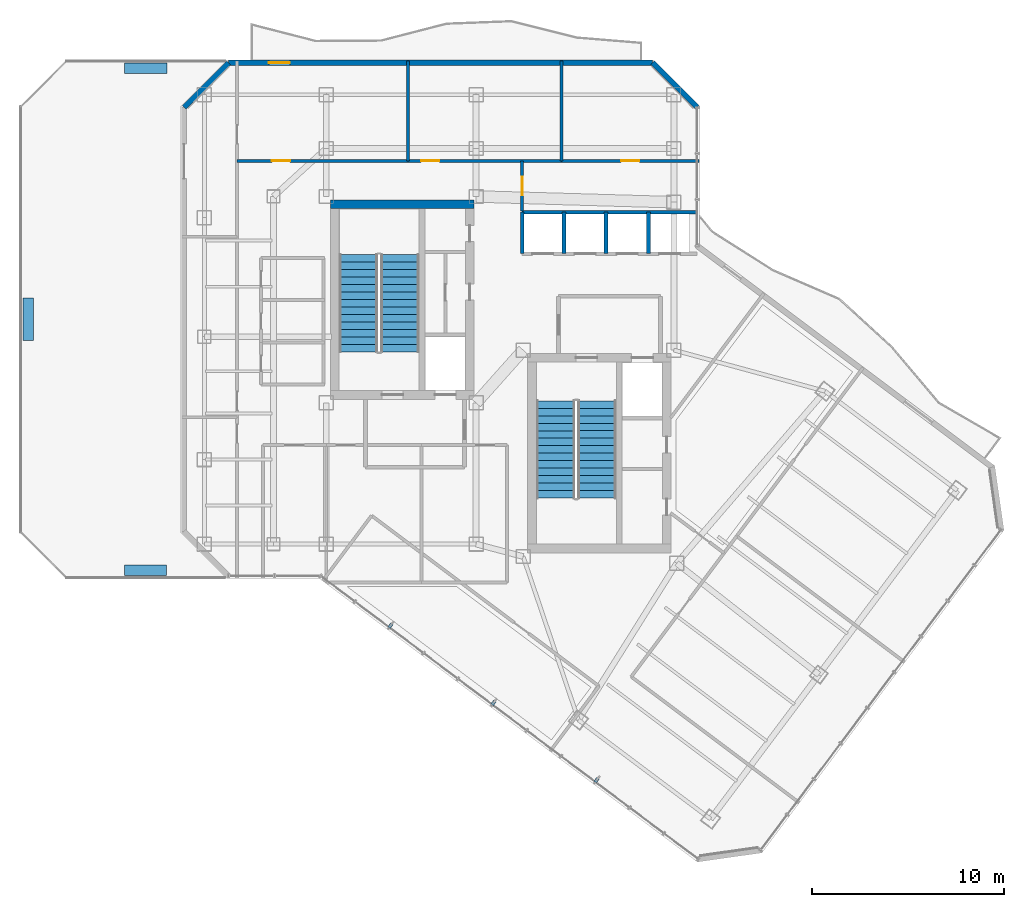
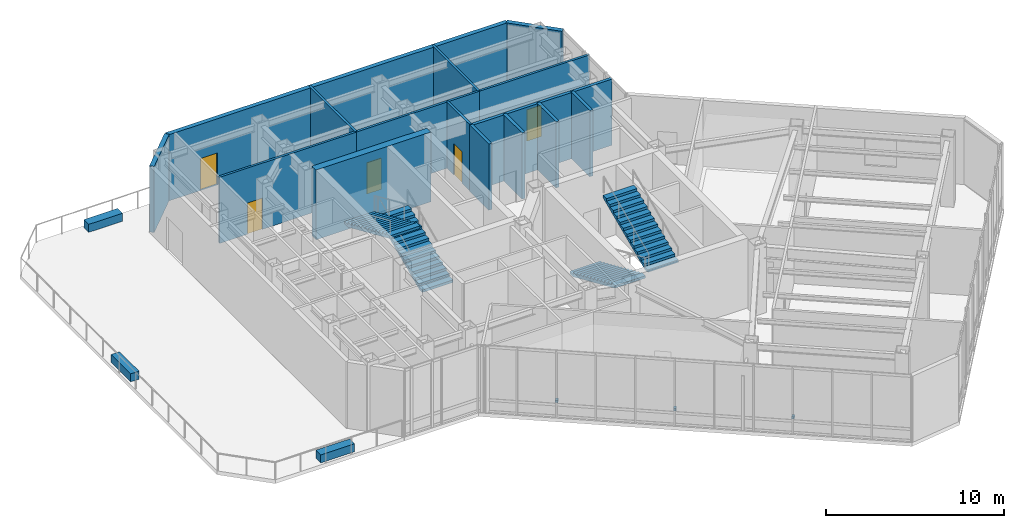
# One storey, part 18 of 21: 15 walls, 6 discrete accessories, 5 doors, 4 stair flights, 5 openings, 2 elements without a shape of their own.
"""IFC4 building model written with IfcOpenShell, lengths in metres."""

import ifcopenshell
import ifcopenshell.guid

model = None  # the IFC model being written
_history = None  # IfcOwnerHistory: only IFC2X3 demands one
_inside = {}  # id of a spatial element -> (the spatial element, [elements in it])
_under = {}  # id of a project, library or spatial element -> (it, [spatial elements below it])
_declared = {}  # id of a project -> (the project, [libraries it declares])
_typed = {}  # id of a type object -> (the type object, [elements of that type])
_made_of = {}  # id of a material, layer set ... -> (it, [elements and type objects made of it])


def new_model(schema):
    """Start an empty IFC model of exactly this schema.

    Asked for "IFC4X3", IfcOpenShell would pick the latest addendum, in which some entities
    have other attributes; the version numbers below select the first issue.
    IFC2X3 requires an IfcOwnerHistory on every rooted entity: one is made here for all.
    """
    global model, _history
    if schema == "IFC4X3":
        model = ifcopenshell.file(schema_version=(4, 3, 0, 0))
    else:
        model = ifcopenshell.file(schema=schema)
    _inside.clear()
    _under.clear()
    _declared.clear()
    _typed.clear()
    _made_of.clear()
    _history = None
    if model.schema == "IFC2X3":
        org = make("IfcOrganization", Name="unknown")
        user = make(
            "IfcPersonAndOrganization",
            ThePerson=make("IfcPerson", FamilyName="unknown"),
            TheOrganization=org,
        )
        app = make(
            "IfcApplication",
            ApplicationDeveloper=org,
            Version="unknown",
            ApplicationFullName="unknown",
            ApplicationIdentifier="unknown",
        )
        _history = make(
            "IfcOwnerHistory",
            OwningUser=user,
            OwningApplication=app,
            ChangeAction="ADDED",
            CreationDate=0,
        )
    return model


def make(cls, **values):
    """One entity of the class cls with the attributes given. An attribute that is None is left unset."""
    return model.create_entity(
        cls, **{name: value for name, value in values.items() if value is not None}
    )


def rooted(cls, **values):
    """An entity with a GlobalId (a new one), such as an element, a storey or a relation."""
    return make(cls, GlobalId=ifcopenshell.guid.new(), OwnerHistory=_history, **values)


def si_unit(unit_type, name, prefix=None):
    """IfcSIUnit, for example si_unit("LENGTHUNIT", "METRE", prefix="MILLI")."""
    return make("IfcSIUnit", UnitType=unit_type, Prefix=prefix, Name=name)


def assignment(units):
    """IfcUnitAssignment: the units of a project."""
    return None if units is None else make("IfcUnitAssignment", Units=units)


def point(xyz):
    """IfcCartesianPoint."""
    return None if xyz is None else make("IfcCartesianPoint", Coordinates=xyz)


def direction(xyz):
    """IfcDirection."""
    return None if xyz is None else make("IfcDirection", DirectionRatios=xyz)


def frame(location, z_axis=None, x_axis=None):
    """IfcAxis2Placement3D, a coordinate frame: its origin and axes. An axis left out is left unset."""
    return make(
        "IfcAxis2Placement3D",
        Location=point(location),
        Axis=direction(z_axis),
        RefDirection=direction(x_axis),
    )


def frame_2d(location, x_axis=None):
    """IfcAxis2Placement2D, a coordinate frame in the plane: its origin and x axis."""
    return make(
        "IfcAxis2Placement2D", Location=point(location), RefDirection=direction(x_axis)
    )


def origin():
    """The frame at (0, 0, 0) with its axes left unset."""
    return frame((0.0, 0.0, 0.0))


def origin_2d():
    """The frame at (0, 0) in the plane with its x axis left unset."""
    return frame_2d((0.0, 0.0))


def place(relative_to, where):
    """IfcLocalPlacement: puts the frame where relative to a parent placement (None: the world)."""
    return make(
        "IfcLocalPlacement", PlacementRelTo=relative_to, RelativePlacement=where
    )


def context(
    kind, dimensions, precision=None, world=None, true_north=None, identifier=None
):
    """IfcGeometricRepresentationContext, for example the 3D "Model" context."""
    return make(
        "IfcGeometricRepresentationContext",
        ContextIdentifier=identifier,
        ContextType=kind,
        CoordinateSpaceDimension=dimensions,
        Precision=precision,
        WorldCoordinateSystem=world,
        TrueNorth=true_north,
    )


def subcontext(parent, identifier, kind, view, scale=None):
    """IfcGeometricRepresentationSubContext, for example "Body" below "Model"."""
    return make(
        "IfcGeometricRepresentationSubContext",
        ContextIdentifier=identifier,
        ContextType=kind,
        ParentContext=parent,
        TargetScale=scale,
        TargetView=view,
    )


def project(units=None, contexts=None):
    """IfcProject with its units and contexts."""
    return rooted(
        "IfcProject",
        Name="project",
        RepresentationContexts=contexts,
        UnitsInContext=assignment(units),
    )


def spatial(cls, under=None, at=None, **own):
    """A site, building, storey or space (cls), placed at a placement, below another one or the project."""
    s = rooted(cls, ObjectPlacement=at, **own)
    if under is not None:
        _under.setdefault(under.id(), (under, []))[1].append(s)
    return s


def polyline(points):
    """IfcPolyline through the points."""
    return make("IfcPolyline", Points=[point(p) for p in points])


def profile(cls, at=None, kind="AREA", **sizes):
    """A parametric profile (cls). Its sizes go by their IFC names, for example OverallWidth=200.0."""
    return make(cls, ProfileType=kind, Position=at, **sizes)


def rectangle(**sizes):
    """IfcRectangleProfileDef."""
    return profile("IfcRectangleProfileDef", **sizes)


def outline(outer, holes=None, kind="AREA"):
    """IfcArbitraryClosedProfileDef: a profile drawn as a closed curve; with holes, ...WithVoids."""
    if holes is None:
        return make("IfcArbitraryClosedProfileDef", ProfileType=kind, OuterCurve=outer)
    return make(
        "IfcArbitraryProfileDefWithVoids",
        ProfileType=kind,
        OuterCurve=outer,
        InnerCurves=holes,
    )


def extrude(swept, where, along, depth):
    """IfcExtrudedAreaSolid: the profile swept, set in the frame where, extruded along a direction by depth."""
    return make(
        "IfcExtrudedAreaSolid",
        SweptArea=swept,
        Position=where,
        ExtrudedDirection=direction(along),
        Depth=depth,
    )


def shape(context_of_items, identifier, shape_type, items):
    """IfcShapeRepresentation: the items that make up one representation, for example the "Body"."""
    return make(
        "IfcShapeRepresentation",
        ContextOfItems=context_of_items,
        RepresentationIdentifier=identifier,
        RepresentationType=shape_type,
        Items=items,
    )


def material(Name=None, Category=None):
    """IfcMaterial."""
    return make("IfcMaterial", Name=Name, Category=Category)


def layer(
    of_material, thickness, ventilated=None, Name=None, Category=None, Priority=None
):
    """IfcMaterialLayer: one layer of a wall or slab, of a material (None: an air gap)."""
    return make(
        "IfcMaterialLayer",
        Material=of_material,
        LayerThickness=thickness,
        IsVentilated=ventilated,
        Name=Name,
        Category=Category,
        Priority=Priority,
    )


def layer_set(layers, Name=None):
    """IfcMaterialLayerSet."""
    return make("IfcMaterialLayerSet", MaterialLayers=layers, LayerSetName=Name)


def made_of(thing, what):
    """Note that an element or type object is made of a material, layer set ...; save() writes the relation."""
    if what is not None:
        _made_of.setdefault(what.id(), (what, []))[1].append(thing)
    return thing


def type_object(cls, material=None, **own):
    """A type object (cls), such as IfcWallType, which elements share."""
    return made_of(rooted(cls, **own), material)


def element(
    cls,
    number,
    at=None,
    inside=None,
    cuts=None,
    type_object=None,
    material=None,
    context=None,
    identifier="Body",
    shape_type=None,
    held_by="IfcProductDefinitionShape",
    body=None,
    shapes=None,
    **own,
):
    """One element of the class cls, such as IfcWall. Its Tag is "e" and its number.

    at: its placement. inside: the storey or other place that contains it. cuts: it is an
    opening in that element (IfcRelVoidsElement). A single representation is given by context,
    identifier, shape_type and body (its items); several are given by shapes. held_by: the class
    of the entity that holds the representations. save() writes the other relations.
    """
    e = rooted(cls, Tag="e%d" % number, ObjectPlacement=at, **own)
    if body is not None:
        shapes = [shape(context, identifier, shape_type, body)]
    if shapes is not None:
        e.Representation = make(held_by, Representations=shapes)
    if inside is not None:
        _inside.setdefault(inside.id(), (inside, []))[1].append(e)
    if cuts is not None:
        rooted(
            "IfcRelVoidsElement", RelatingBuildingElement=cuts, RelatedOpeningElement=e
        )
    if type_object is not None:
        _typed.setdefault(type_object.id(), (type_object, []))[1].append(e)
    return made_of(e, material)


def fill(opening, filler):
    """IfcRelFillsElement: the door or window that sits in an opening."""
    return rooted(
        "IfcRelFillsElement",
        RelatingOpeningElement=opening,
        RelatedBuildingElement=filler,
    )


def aggregate(whole, parts):
    """IfcRelAggregates: a whole, such as a stair, and the parts it consists of."""
    return rooted("IfcRelAggregates", RelatingObject=whole, RelatedObjects=parts)


def save(model, path):
    """Write the relations noted so far, then the file.

    IfcRelAggregates (storeys below a building ...), IfcRelContainedInSpatialStructure (elements
    in a storey), IfcRelDefinesByType, IfcRelAssociatesMaterial and IfcRelDeclares: one each for
    every whole, place, type object, material and project.
    """
    for whole, parts in _under.values():
        aggregate(whole, parts)
    for where, things in _inside.values():
        rooted(
            "IfcRelContainedInSpatialStructure",
            RelatedElements=things,
            RelatingStructure=where,
        )
    for kind, things in _typed.values():
        rooted("IfcRelDefinesByType", RelatedObjects=things, RelatingType=kind)
    for what, things in _made_of.values():
        rooted("IfcRelAssociatesMaterial", RelatedObjects=things, RelatingMaterial=what)
    for by, libraries in _declared.values():
        rooted("IfcRelDeclares", RelatingContext=by, RelatedDefinitions=libraries)
    model.write(path)


model = new_model("IFC4")

# Units and contexts
model_context = context("Model", 3, precision=1e-05, world=origin(), true_north=direction((0.0, 1.0)))
body_context = subcontext(model_context, "Body", "Model", "MODEL_VIEW")
ifc_project = project(units=[si_unit("LENGTHUNIT", "METRE"), si_unit("AREAUNIT", "SQUARE_METRE"), si_unit("VOLUMEUNIT", "CUBIC_METRE"), si_unit("PLANEANGLEUNIT", "RADIAN"), si_unit("MASSUNIT", "GRAM", prefix="KILO")], contexts=[model_context])

# Site, building, storey
site_placement = place(None, origin())
site = spatial("IfcSite", under=ifc_project, at=site_placement, CompositionType="ELEMENT")
building_placement = place(site_placement, origin())
building = spatial("IfcBuilding", under=site, at=building_placement, Name="Hatsunagi Terrace Concourse", CompositionType="ELEMENT")
storey_placement = place(building_placement, frame((0.0, 0.0, 186.75)))
storey = spatial("IfcBuildingStorey", under=building, at=storey_placement, Name="L49", CompositionType="ELEMENT", Elevation=186.75)

# Wall
ifc_material_1 = material(Name="Concrete Fc42", Category="concrete")
ifc_layer_1 = layer(ifc_material_1, 0.449951171875)
ifc_layer_set_1 = layer_set([ifc_layer_1], Name="CoreShearWall_Fc42_450")
wall_type_1 = type_object("IfcWallType", Name="CoreShearWall_Fc42_450", PredefinedType="SHEAR", material=ifc_layer_set_1)
wall_1_placement = place(storey_placement, frame((25.77001953125, 42.89501953125, 0.0), z_axis=(0.0, 0.0, 1.0), x_axis=(1.0, 0.0, 0.0)))
element("IfcWall", 1, at=wall_1_placement, inside=storey, type_object=wall_type_1, Name="Core A Shear Wall N L49", PredefinedType="SHEAR", context=body_context, shape_type="SweptSolid", body=[
    extrude(rectangle(XDim=7.47998046875, YDim=0.449951171875, at=frame_2d((3.739990234375, 0.0))), origin(), (0.0, 0.0, 1.0), 4.800048828125),
])

# Wall, opening, door
ifc_material_2 = material(Name="Acoustic mineral board", Category="gypsum")
ifc_layer_2 = layer(ifc_material_2, 0.14990234375)
ifc_layer_set_2 = layer_set([ifc_layer_2], Name="PartitionWall_EI60_150")
wall_type_2 = type_object("IfcWallType", Name="PartitionWall_EI60_150", PredefinedType="PARTITIONING", material=ifc_layer_set_2)
wall_2_placement = place(storey_placement, frame((20.89990234375, 45.14990234375, 0.0), z_axis=(0.0, 0.0, 1.0), x_axis=(1.0, 0.0, 0.0)))
wall_2 = element("IfcWall", 2, at=wall_2_placement, inside=storey, type_object=wall_type_2, Name="Interior Partition IW-L49-038", PredefinedType="PARTITIONING", context=body_context, shape_type="SweptSolid", body=[
    extrude(rectangle(XDim=8.900146484375, YDim=0.14990234375, at=frame_2d((4.4501953125, 0.0))), origin(), (0.0, 0.0, 1.0), 4.550048828125),
])
opening_1_placement = place(wall_2_placement, frame((1.818115234375, 0.0, 0.0)))
opening_1 = element("IfcOpeningElement", 3, at=opening_1_placement, cuts=wall_2, Name="Opening DR-095", PredefinedType="OPENING", context=body_context, shape_type="SweptSolid", body=[
    extrude(rectangle(XDim=0.949951171875, YDim=2.14990234375, at=frame_2d((0.47509765625, 1.074951171875))), frame((0.0, 0.0849609375, 0.0), z_axis=(0.0, -1.0, 0.0), x_axis=(1.0, 0.0, 0.0)), (0.0, 0.0, 1.0), 0.169921875),
])
ifc_material_3 = material(Name="Hardwood timber", Category="wood")
door_type_1 = type_object("IfcDoorType", Name="InteriorSuiteDoor_EI30_950", OperationType="NOTDEFINED", PredefinedType="DOOR", material=ifc_material_3)
door_1_placement = place(opening_1_placement, origin())
door_1 = element("IfcDoor", 4, at=door_1_placement, inside=storey, type_object=door_type_1, Name="Boardroom L49-ON1 Door", OperationType="SINGLE_SWING_LEFT", OverallHeight=2.14990234375, OverallWidth=0.949951171875, PredefinedType="DOOR", context=body_context, shape_type="SweptSolid", body=[
    extrude(rectangle(XDim=0.949951171875, YDim=2.14990234375, at=frame_2d((0.47509765625, 1.074951171875))), frame((0.0, 0.02490234375, 0.0), z_axis=(0.0, -1.0, 0.0), x_axis=(1.0, 0.0, 0.0)), (0.0, 0.0, 1.0), 0.050048828125),
])
fill(opening_1, door_1)

# Wall
wall_3_placement = place(storey_placement, frame((29.800048828125, 45.14990234375, 0.0), z_axis=(0.0, 0.0, 1.0), x_axis=(0.0, 1.0, 0.0)))
element("IfcWall", 5, at=wall_3_placement, inside=storey, type_object=wall_type_2, Name="Interior Partition IW-L49-039", PredefinedType="PARTITIONING", context=body_context, shape_type="SweptSolid", body=[
    extrude(rectangle(XDim=5.210205078125, YDim=0.14990234375, at=frame_2d((2.60498046875, 0.0))), origin(), (0.0, 0.0, 1.0), 4.550048828125),
])

# Wall, opening, door
wall_4_placement = place(storey_placement, frame((29.800048828125, 45.14990234375, 0.0), z_axis=(0.0, 0.0, 1.0), x_axis=(1.0, 0.0, 0.0)))
wall_4 = element("IfcWall", 6, at=wall_4_placement, inside=storey, type_object=wall_type_2, Name="Interior Partition IW-L49-040", PredefinedType="PARTITIONING", context=body_context, shape_type="SweptSolid", body=[
    extrude(rectangle(XDim=8.0, YDim=0.14990234375, at=frame_2d((4.0, 0.0))), origin(), (0.0, 0.0, 1.0), 4.550048828125),
])
opening_2_placement = place(wall_4_placement, frame((0.694091796875, 0.0, 0.0)))
opening_2 = element("IfcOpeningElement", 7, at=opening_2_placement, cuts=wall_4, Name="Opening DR-095", PredefinedType="OPENING", context=body_context, shape_type="SweptSolid", body=[
    extrude(rectangle(XDim=0.949951171875, YDim=2.14990234375, at=frame_2d((0.47509765625, 1.074951171875))), frame((0.0, 0.0849609375, 0.0), z_axis=(0.0, -1.0, 0.0), x_axis=(1.0, 0.0, 0.0)), (0.0, 0.0, 1.0), 0.169921875),
])
door_2_placement = place(opening_2_placement, origin())
door_2 = element("IfcDoor", 8, at=door_2_placement, inside=storey, type_object=door_type_1, Name="Collaboration Lounge L49-ON2 Door", OperationType="SINGLE_SWING_RIGHT", OverallHeight=2.14990234375, OverallWidth=0.949951171875, PredefinedType="DOOR", context=body_context, shape_type="SweptSolid", body=[
    extrude(rectangle(XDim=0.949951171875, YDim=2.14990234375, at=frame_2d((0.47509765625, 1.074951171875))), frame((0.0, 0.02490234375, 0.0), z_axis=(0.0, -1.0, 0.0), x_axis=(1.0, 0.0, 0.0)), (0.0, 0.0, 1.0), 0.050048828125),
])
fill(opening_2, door_2)

# Wall
wall_5_placement = place(storey_placement, frame((37.800048828125, 45.14990234375, 0.0), z_axis=(0.0, 0.0, 1.0), x_axis=(0.0, 1.0, 0.0)))
element("IfcWall", 9, at=wall_5_placement, inside=storey, type_object=wall_type_2, Name="Interior Partition IW-L49-041", PredefinedType="PARTITIONING", context=body_context, shape_type="SweptSolid", body=[
    extrude(rectangle(XDim=5.210205078125, YDim=0.14990234375, at=frame_2d((2.60498046875, 0.0))), origin(), (0.0, 0.0, 1.0), 4.550048828125),
])

# Wall, opening, door
wall_6_placement = place(storey_placement, frame((37.800048828125, 45.14990234375, 0.0), z_axis=(0.0, 0.0, 1.0), x_axis=(1.0, 0.0, 0.0)))
wall_6 = element("IfcWall", 10, at=wall_6_placement, inside=storey, type_object=wall_type_2, Name="Interior Partition IW-L49-042", PredefinedType="PARTITIONING", context=body_context, shape_type="SweptSolid", body=[
    extrude(rectangle(XDim=7.159912109375, YDim=0.14990234375, at=frame_2d((3.580078125, 0.0))), origin(), (0.0, 0.0, 1.0), 4.550048828125),
])
opening_3_placement = place(wall_6_placement, frame((3.10498046875, 0.0, 0.0)))
opening_3 = element("IfcOpeningElement", 11, at=opening_3_placement, cuts=wall_6, Name="Opening DR-095", PredefinedType="OPENING", context=body_context, shape_type="SweptSolid", body=[
    extrude(rectangle(XDim=0.949951171875, YDim=2.14990234375, at=frame_2d((0.47509765625, 1.074951171875))), frame((0.0, 0.0849609375, 0.0), z_axis=(0.0, -1.0, 0.0), x_axis=(1.0, 0.0, 0.0)), (0.0, 0.0, 1.0), 0.169921875),
])
door_3_placement = place(opening_3_placement, origin())
door_3 = element("IfcDoor", 12, at=door_3_placement, inside=storey, type_object=door_type_1, Name="Meeting Room L49-ON3 Door", OperationType="SINGLE_SWING_RIGHT", OverallHeight=2.14990234375, OverallWidth=0.949951171875, PredefinedType="DOOR", context=body_context, shape_type="SweptSolid", body=[
    extrude(rectangle(XDim=0.949951171875, YDim=2.14990234375, at=frame_2d((0.47509765625, 1.074951171875))), frame((0.0, 0.02490234375, 0.0), z_axis=(0.0, -1.0, 0.0), x_axis=(1.0, 0.0, 0.0)), (0.0, 0.0, 1.0), 0.050048828125),
])
fill(opening_3, door_3)

wall_7_placement = place(storey_placement, frame((35.75, 42.550048828125, 0.0), z_axis=(0.0, 0.0, 1.0), x_axis=(0.0, 1.0, 0.0)))
wall_7 = element("IfcWall", 13, at=wall_7_placement, inside=storey, type_object=wall_type_2, Name="Interior Partition IW-L49-051", PredefinedType="PARTITIONING", context=body_context, shape_type="SweptSolid", body=[
    extrude(rectangle(XDim=2.599853515625, YDim=0.14990234375, at=frame_2d((1.2998046875, 0.0))), origin(), (0.0, 0.0, 1.0), 4.550048828125),
])
opening_4_placement = place(wall_7_placement, frame((0.824951171875, 0.0, 0.0)))
opening_4 = element("IfcOpeningElement", 14, at=opening_4_placement, cuts=wall_7, Name="Opening DR-095", PredefinedType="OPENING", context=body_context, shape_type="SweptSolid", body=[
    extrude(rectangle(XDim=0.949951171875, YDim=2.14990234375, at=frame_2d((0.47509765625, 1.074951171875))), frame((0.0, 0.0849609375, 0.0), z_axis=(0.0, -1.0, 0.0), x_axis=(1.0, 0.0, 0.0)), (0.0, 0.0, 1.0), 0.169921875),
])
door_4_placement = place(opening_4_placement, origin())
door_4 = element("IfcDoor", 15, at=door_4_placement, inside=storey, type_object=door_type_1, Name="Executive Briefing Room L49-ONEB Door", OperationType="SINGLE_SWING_RIGHT", OverallHeight=2.14990234375, OverallWidth=0.949951171875, PredefinedType="DOOR", context=body_context, shape_type="SweptSolid", body=[
    extrude(rectangle(XDim=0.949951171875, YDim=2.14990234375, at=frame_2d((0.47509765625, 1.074951171875))), frame((0.0, 0.02490234375, 0.0), z_axis=(0.0, -1.0, 0.0), x_axis=(1.0, 0.0, 0.0)), (0.0, 0.0, 1.0), 0.050048828125),
])
fill(opening_4, door_4)

# Walls
ifc_material_4 = material(Name="Acoustic mineral board", Category="gypsum")
ifc_layer_3 = layer(ifc_material_4, 0.199951171875)
ifc_layer_set_3 = layer_set([ifc_layer_3], Name="ShaftWall_EI120_200")
wall_type_3 = type_object("IfcWallType", Name="ShaftWall_EI120_200", PredefinedType="STANDARD", material=ifc_layer_set_3)
wall_8_placement = place(storey_placement, frame((35.75, 42.47998046875, 0.0), z_axis=(0.0, 0.0, 1.0), x_axis=(1.0, 0.0, 0.0)))
element("IfcWall", 16, at=wall_8_placement, inside=storey, type_object=wall_type_3, Name="Interior Partition IW-L49-012", PredefinedType="STANDARD", context=body_context, shape_type="SweptSolid", body=[
    extrude(rectangle(XDim=9.110107421875, YDim=0.199951171875, at=frame_2d((4.55517578125, 0.0))), origin(), (0.0, 0.0, 1.0), 4.550048828125),
])
for number, where, z_axis, x_axis, name in (
    (17, (35.75, 40.320068359375, 0.0), (0.0, 0.0, 1.0), (0.0, 1.0, 0.0), "Interior Partition IW-L49-013"),
    (18, (37.919921875, 40.320068359375, 0.0), (0.0, 0.0, 1.0), (0.0, 1.0, 0.0), "Interior Partition IW-L49-014"),
    (19, (40.1201171875, 40.320068359375, 0.0), (0.0, 0.0, 1.0), (0.0, 1.0, 0.0), "Interior Partition IW-L49-015"),
    (20, (42.320068359375, 40.320068359375, 0.0), (0.0, 0.0, 1.0), (0.0, 1.0, 0.0), "Interior Partition IW-L49-016"),
):
    element("IfcWall", number, at=place(storey_placement, frame(where, z_axis=z_axis, x_axis=x_axis)), inside=storey, type_object=wall_type_3, Name=name, PredefinedType="STANDARD", context=body_context, shape_type="SweptSolid", body=[
        extrude(rectangle(XDim=2.159912109375, YDim=0.199951171875, at=frame_2d((1.080078125, 0.0))), origin(), (0.0, 0.0, 1.0), 4.550048828125),
    ])
ifc_material_5 = material(Name="Autoclaved Lightweight Concrete and Terracotta Cladding", Category="masonry")
ifc_layer_4 = layer(ifc_material_5, 0.280029296875)
ifc_layer_set_4 = layer_set([ifc_layer_4], Name="TerracottaSpandrelWall_280")
wall_type_4 = type_object("IfcWallType", Name="TerracottaSpandrelWall_280", PredefinedType="STANDARD", material=ifc_layer_set_4)
wall_9_placement = place(storey_placement, frame((18.139892578125, 47.94189453125, 0.0), z_axis=(0.0, 0.0, 1.0), x_axis=(0.707106781187, 0.707106781187, 0.0)))
element("IfcWall", 21, at=wall_9_placement, inside=storey, type_object=wall_type_4, Name="Exterior Spandrel Wall EW-L49-09", PredefinedType="STANDARD", context=body_context, shape_type="SweptSolid", body=[
    extrude(rectangle(XDim=3.2783203125, YDim=0.280029296875, at=frame_2d((1.63916015625, 0.0))), origin(), (0.0, 0.0, 1.0), 4.550048828125),
])

# Wall, opening, door
wall_10_placement = place(storey_placement, frame((20.4580078125, 50.260009765625, 0.0), z_axis=(0.0, 0.0, 1.0), x_axis=(1.0, 0.0, 0.0)))
wall_10 = element("IfcWall", 22, at=wall_10_placement, inside=storey, type_object=wall_type_4, Name="Exterior Spandrel Wall EW-L49-10", PredefinedType="STANDARD", context=body_context, shape_type="SweptSolid", body=[
    extrude(rectangle(XDim=22.083984375, YDim=0.280029296875, at=frame_2d((11.0419921875, 0.0))), origin(), (0.0, 0.0, 1.0), 4.550048828125),
])
opening_5_placement = place(wall_10_placement, frame((2.10009765625, 0.0, 0.0)))
opening_5 = element("IfcOpeningElement", 23, at=opening_5_placement, cuts=wall_10, Name="Opening BD-01", PredefinedType="OPENING", context=body_context, shape_type="SweptSolid", body=[
    extrude(rectangle(XDim=1.10009765625, YDim=2.199951171875, at=frame_2d((0.550048828125, 1.10009765625))), frame((0.0, 0.14990234375, 0.0), z_axis=(0.0, -1.0, 0.0), x_axis=(1.0, 0.0, 0.0)), (0.0, 0.0, 1.0), 0.300048828125),
])
ifc_material_6 = material(Name="Galvanised Steel and Laminated Safety Glass", Category="steel")
door_type_2 = type_object("IfcDoorType", Name="BalconyTerraceAccessDoor_1100x2200", OperationType="SINGLE_SWING_LEFT", PredefinedType="DOOR", material=ifc_material_6)
door_5_placement = place(opening_5_placement, origin())
door_5 = element("IfcDoor", 24, at=door_5_placement, inside=storey, type_object=door_type_2, Name="Engawa Balcony Door L49-BN", OperationType="SINGLE_SWING_RIGHT", OverallHeight=2.199951171875, OverallWidth=1.10009765625, PredefinedType="DOOR", context=body_context, shape_type="SweptSolid", body=[
    extrude(rectangle(XDim=1.10009765625, YDim=2.199951171875, at=frame_2d((0.550048828125, 1.10009765625))), frame((0.0, 0.02490234375, 0.0), z_axis=(0.0, -1.0, 0.0), x_axis=(1.0, 0.0, 0.0)), (0.0, 0.0, 1.0), 0.050048828125),
])
fill(opening_5, door_5)

# Wall
wall_11_placement = place(storey_placement, frame((42.5419921875, 50.260009765625, 0.0), z_axis=(0.0, 0.0, 1.0), x_axis=(0.707106781187, -0.707106781187, 0.0)))
element("IfcWall", 25, at=wall_11_placement, inside=storey, type_object=wall_type_4, Name="Exterior Spandrel Wall EW-L49-11", PredefinedType="STANDARD", context=body_context, shape_type="SweptSolid", body=[
    extrude(rectangle(XDim=3.2783203125, YDim=0.280029296875, at=frame_2d((1.63916015625, 0.0))), origin(), (0.0, 0.0, 1.0), 4.550048828125),
])

# Stair, stair flights
ifc_material_7 = material(Name="Concrete Fc42", Category="concrete")
stair_type = type_object("IfcStairType", Name="DoglegExitStair_Tower2000_28R_171", PredefinedType="HALF_TURN_STAIR", material=ifc_material_7)
stair_1_placement = place(storey_placement, origin())
stair_1 = element("IfcStair", 26, at=stair_1_placement, inside=storey, type_object=stair_type, Name="L49 Core A Protected Exit Stair ST-A", PredefinedType="HALF_TURN_STAIR")
ifc_material_8 = material(Name="Concrete Fc42", Category="concrete")
stair_flight_type = type_object("IfcStairFlightType", Name="DoglegStairFlight_Tower2000_28R_171", PredefinedType="STRAIGHT", material=ifc_material_8)
stair_flight_1_placement = place(storey_placement, frame((29.3798828125, 35.199951171875, 0.0), z_axis=(0.0, 0.0, 1.0), x_axis=(0.0, 1.0, 0.0)))
stair_flight_1 = element("IfcStairFlight", 27, at=stair_flight_1_placement, type_object=stair_flight_type, Name="ST-A flight 1", NumberOfRisers=14, NumberOfTreads=13, PredefinedType="STRAIGHT", RiserHeight=0.171428571, TreadLength=0.39, context=body_context, shape_type="SweptSolid", body=[
    extrude(outline(polyline([(0.0, 0.0), (0.0, 0.17138671875), (0.389892578125, 0.17138671875), (0.389892578125, 0.3427734375), (0.780029296875, 0.3427734375), (0.780029296875, 0.514404296875), (1.169921875, 0.514404296875), (1.169921875, 0.685791015625), (1.56005859375, 0.685791015625), (1.56005859375, 0.857177734375), (1.949951171875, 0.857177734375), (1.949951171875, 1.028564453125), (2.340087890625, 1.028564453125), (2.340087890625, 1.199951171875), (2.72998046875, 1.199951171875), (2.72998046875, 1.371337890625), (3.1201171875, 1.371337890625), (3.1201171875, 1.54296875), (3.510009765625, 1.54296875), (3.510009765625, 1.71435546875), (3.89990234375, 1.71435546875), (3.89990234375, 1.8857421875), (4.2900390625, 1.8857421875), (4.2900390625, 2.05712890625), (4.679931640625, 2.05712890625), (4.679931640625, 2.228515625), (5.070068359375, 2.228515625), (5.070068359375, 2.39990234375), (5.070068359375, 2.06494140625), (0.37255859375, 0.0), (0.0, 0.0)])), frame((0.0, 1.0, 0.0), z_axis=(0.0, -1.0, 0.0), x_axis=(1.0, 0.0, 0.0)), (0.0, 0.0, 1.0), 2.0),
])
stair_flight_2_placement = place(storey_placement, frame((27.22998046875, 40.27001953125, 2.39990234375), z_axis=(0.0, 0.0, 1.0), x_axis=(0.0, -1.0, 0.0)))
stair_flight_2 = element("IfcStairFlight", 28, at=stair_flight_2_placement, type_object=stair_flight_type, Name="ST-A flight 2", NumberOfRisers=14, NumberOfTreads=13, PredefinedType="STRAIGHT", RiserHeight=0.171428571, TreadLength=0.39, context=body_context, shape_type="SweptSolid", body=[
    extrude(outline(polyline([(0.0, 0.0), (0.0, 0.17138671875), (0.389892578125, 0.17138671875), (0.389892578125, 0.3427734375), (0.780029296875, 0.3427734375), (0.780029296875, 0.514404296875), (1.169921875, 0.514404296875), (1.169921875, 0.685791015625), (1.56005859375, 0.685791015625), (1.56005859375, 0.857177734375), (1.949951171875, 0.857177734375), (1.949951171875, 1.028564453125), (2.340087890625, 1.028564453125), (2.340087890625, 1.199951171875), (2.72998046875, 1.199951171875), (2.72998046875, 1.371337890625), (3.1201171875, 1.371337890625), (3.1201171875, 1.54296875), (3.510009765625, 1.54296875), (3.510009765625, 1.71435546875), (3.89990234375, 1.71435546875), (3.89990234375, 1.8857421875), (4.2900390625, 1.8857421875), (4.2900390625, 2.05712890625), (4.679931640625, 2.05712890625), (4.679931640625, 2.228515625), (5.070068359375, 2.228515625), (5.070068359375, 2.39990234375), (5.070068359375, 2.06494140625), (0.37255859375, 0.0), (0.0, 0.0)])), frame((0.0, 1.0, 0.0), z_axis=(0.0, -1.0, 0.0), x_axis=(1.0, 0.0, 0.0)), (0.0, 0.0, 1.0), 2.0),
])
aggregate(stair_1, [stair_flight_1, stair_flight_2])

stair_2_placement = place(storey_placement, origin())
stair_2 = element("IfcStair", 29, at=stair_2_placement, inside=storey, type_object=stair_type, Name="L49 Core B Protected Exit Stair ST-B", PredefinedType="HALF_TURN_STAIR")
stair_flight_3_placement = place(storey_placement, frame((37.5, 32.659912109375, 0.0), z_axis=(0.0, 0.0, 1.0), x_axis=(0.0, -1.0, 0.0)))
stair_flight_3 = element("IfcStairFlight", 30, at=stair_flight_3_placement, type_object=stair_flight_type, Name="ST-B flight 1", NumberOfRisers=14, NumberOfTreads=13, PredefinedType="STRAIGHT", RiserHeight=0.171428571, TreadLength=0.39, context=body_context, shape_type="SweptSolid", body=[
    extrude(outline(polyline([(0.0, 0.0), (0.0, 0.17138671875), (0.389892578125, 0.17138671875), (0.389892578125, 0.3427734375), (0.780029296875, 0.3427734375), (0.780029296875, 0.514404296875), (1.169921875, 0.514404296875), (1.169921875, 0.685791015625), (1.56005859375, 0.685791015625), (1.56005859375, 0.857177734375), (1.949951171875, 0.857177734375), (1.949951171875, 1.028564453125), (2.340087890625, 1.028564453125), (2.340087890625, 1.199951171875), (2.72998046875, 1.199951171875), (2.72998046875, 1.371337890625), (3.1201171875, 1.371337890625), (3.1201171875, 1.54296875), (3.510009765625, 1.54296875), (3.510009765625, 1.71435546875), (3.89990234375, 1.71435546875), (3.89990234375, 1.8857421875), (4.2900390625, 1.8857421875), (4.2900390625, 2.05712890625), (4.679931640625, 2.05712890625), (4.679931640625, 2.228515625), (5.070068359375, 2.228515625), (5.070068359375, 2.39990234375), (5.070068359375, 2.06494140625), (0.37255859375, 0.0), (0.0, 0.0)])), frame((0.0, 1.0, 0.0), z_axis=(0.0, -1.0, 0.0), x_axis=(1.0, 0.0, 0.0)), (0.0, 0.0, 1.0), 2.0),
])
stair_flight_4_placement = place(storey_placement, frame((39.64990234375, 27.590087890625, 2.39990234375), z_axis=(0.0, 0.0, 1.0), x_axis=(0.0, 1.0, 0.0)))
stair_flight_4 = element("IfcStairFlight", 31, at=stair_flight_4_placement, type_object=stair_flight_type, Name="ST-B flight 2", NumberOfRisers=14, NumberOfTreads=13, PredefinedType="STRAIGHT", RiserHeight=0.171428571, TreadLength=0.39, context=body_context, shape_type="SweptSolid", body=[
    extrude(outline(polyline([(0.0, 0.0), (0.0, 0.17138671875), (0.389892578125, 0.17138671875), (0.389892578125, 0.3427734375), (0.780029296875, 0.3427734375), (0.780029296875, 0.514404296875), (1.169921875, 0.514404296875), (1.169921875, 0.685791015625), (1.56005859375, 0.685791015625), (1.56005859375, 0.857177734375), (1.949951171875, 0.857177734375), (1.949951171875, 1.028564453125), (2.340087890625, 1.028564453125), (2.340087890625, 1.199951171875), (2.72998046875, 1.199951171875), (2.72998046875, 1.371337890625), (3.1201171875, 1.371337890625), (3.1201171875, 1.54296875), (3.510009765625, 1.54296875), (3.510009765625, 1.71435546875), (3.89990234375, 1.71435546875), (3.89990234375, 1.8857421875), (4.2900390625, 1.8857421875), (4.2900390625, 2.05712890625), (4.679931640625, 2.05712890625), (4.679931640625, 2.228515625), (5.070068359375, 2.228515625), (5.070068359375, 2.39990234375), (5.070068359375, 2.06494140625), (0.37255859375, 0.0), (0.0, 0.0)])), frame((0.0, 1.0, 0.0), z_axis=(0.0, -1.0, 0.0), x_axis=(1.0, 0.0, 0.0)), (0.0, 0.0, 1.0), 2.0),
])
aggregate(stair_2, [stair_flight_3, stair_flight_4])

# Discrete accessories
ifc_material_9 = material(Name="Stainless Steel SUS316 Bracket", Category="steel")
discrete_accessory_type_1 = type_object("IfcDiscreteAccessoryType", Name="FacadeScreenSupportBracket_SS", PredefinedType="BRACKET", material=ifc_material_9)
for number, where, z_axis, x_axis, name in (
    (32, (39.618896484375, 12.89892578125, 0.97021484375), (0.0, 0.0, 1.0), (-0.800005211305, 0.599993051531, 0.0), "Terracotta Screen Bracket BRK-01"),
    (33, (34.25390625, 16.922119140625, 0.97021484375), (0.0, 0.0, 1.0), (-0.800005211305, 0.599993051531, 0.0), "Terracotta Screen Bracket BRK-01"),
    (34, (28.889892578125, 20.946044921875, 0.97021484375), (0.0, 0.0, 1.0), (-0.800005211305, 0.599993051531, 0.0), "Terracotta Screen Bracket BRK-01"),
):
    element("IfcDiscreteAccessory", number, at=place(storey_placement, frame(where, z_axis=z_axis, x_axis=x_axis)), inside=storey, type_object=discrete_accessory_type_1, Name=name, PredefinedType="BRACKET", context=body_context, shape_type="SweptSolid", body=[
        extrude(rectangle(XDim=0.159912109375, YDim=0.239990234375, at=origin_2d()), origin(), (0.0, 0.0, 1.0), 0.159912109375),
    ])
ifc_material_10 = material(Name="Architectural Precast Terracotta Planter", Category="masonry")
discrete_accessory_type_2 = type_object("IfcDiscreteAccessoryType", Name="SkyGardenPlanterEdge_450", PredefinedType="USERDEFINED", material=ifc_material_10)
for number, where, z_axis, x_axis, name in (
    (35, (10.030029296875, 36.89990234375, 0.009765625), (0.0, 0.0, 1.0), (0.0, 1.0, 0.0), "Sky Garden Terrace Planter TER-L49-1-2"),
    (36, (16.14208984375, 49.969970703125, 0.009765625), (0.0, 0.0, 1.0), (1.0, 0.0, 0.0), "Sky Garden Terrace Planter TER-L49-1-4"),
    (37, (16.14111328125, 23.830078125, 0.009765625), (0.0, 0.0, 1.0), (-1.0, 0.0, 0.0), "Sky Garden Terrace Planter TER-L49-1-8"),
):
    element("IfcDiscreteAccessory", number, at=place(storey_placement, frame(where, z_axis=z_axis, x_axis=x_axis)), inside=storey, type_object=discrete_accessory_type_2, Name=name, ObjectType="PLANTER", PredefinedType="USERDEFINED", context=body_context, shape_type="SweptSolid", body=[
        extrude(rectangle(XDim=2.199951171875, YDim=0.550048828125, at=origin_2d()), origin(), (0.0, 0.0, 1.0), 0.550048828125),
    ])

save(model, "model.ifc")
